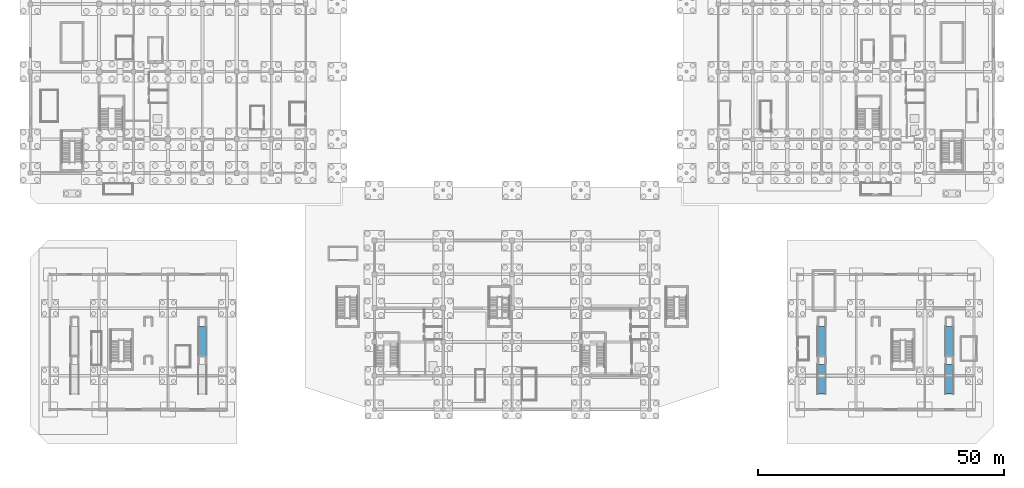
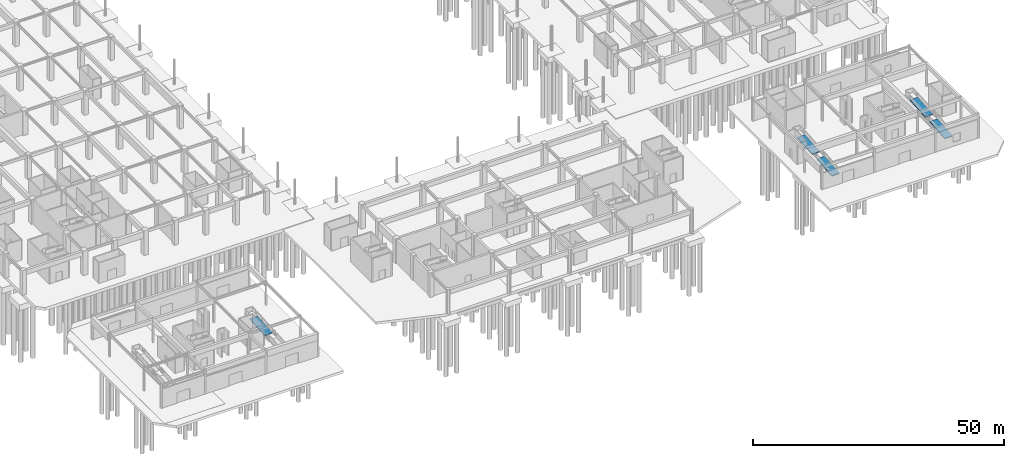
# One storey, part 54 of 62: 5 ramp flights, 3 elements without a shape of their own.
"""IFC4 building model written with IfcOpenShell, lengths in metres."""

from ifc_helpers import new_model, si_unit, direction, frame, origin, place, context, subcontext, project, spatial, polyline, outline, extrude, material, layer, layer_set, type_object, element, aggregate, save


model = new_model("IFC4")

# Units and contexts
model_context = context("Model", 3, precision=1e-05, world=origin(), true_north=direction((0.0, 1.0)))
body_context = subcontext(model_context, "Body", "Model", "MODEL_VIEW")
ifc_project = project(units=[si_unit("LENGTHUNIT", "METRE"), si_unit("AREAUNIT", "SQUARE_METRE"), si_unit("VOLUMEUNIT", "CUBIC_METRE"), si_unit("PLANEANGLEUNIT", "RADIAN"), si_unit("MASSUNIT", "GRAM", prefix="KILO")], contexts=[model_context])

# Site, building, storey
site_placement = place(None, origin())
site = spatial("IfcSite", under=ifc_project, at=site_placement, CompositionType="ELEMENT")
building_placement = place(site_placement, origin())
building = spatial("IfcBuilding", under=site, at=building_placement, Name="Linyun Crest Stadium", CompositionType="ELEMENT")
storey_placement = place(building_placement, frame((0.0, 0.0, -6.0)))
storey = spatial("IfcBuildingStorey", under=building, at=storey_placement, Name="B1", CompositionType="ELEMENT", Elevation=-6.0)

# Ramp, ramp flight
ifc_material_1 = material(Name="Concrete C40", Category="concrete")
ramp_type = type_object("IfcRampType", Name="RMP01", PredefinedType="HALF_TURN_RAMP", material=ifc_material_1)
ramp_1_placement = place(storey_placement, origin())
ramp_1 = element("IfcRamp", 1, at=ramp_1_placement, inside=storey, type_object=ramp_type, Name="Accessible pedestrian ramp RMP-02", PredefinedType="HALF_TURN_RAMP")
ifc_material_2 = material(Name="Concrete C40", Category="concrete")
ifc_layer = layer(ifc_material_2, 0.219970703125)
ifc_layer_set = layer_set([ifc_layer], Name="Concrete C40")
ramp_flight_type = type_object("IfcRampFlightType", Name="RMF01", PredefinedType="STRAIGHT", material=ifc_layer_set)
ramp_flight_1_placement = place(storey_placement, frame((-63.0, -83.199951171875, 0.5), z_axis=(0.0, 0.0, 1.0), x_axis=(0.0, 1.0, 0.0)))
ramp_flight_1 = element("IfcRampFlight", 2, at=ramp_flight_1_placement, type_object=ramp_flight_type, Name="RMP-02 flight 2", PredefinedType="STRAIGHT", context=body_context, shape_type="SweptSolid", body=[
    extrude(outline(polyline([(0.0, 0.0), (6.0, 0.5), (6.0, 0.280029296875), (0.0, -0.219970703125), (0.0, 0.0)])), frame((0.0, 0.89990234375, 0.0), z_axis=(0.0, -1.0, 0.0), x_axis=(1.0, 0.0, 0.0)), (0.0, 0.0, 1.0), 1.800048828125),
])
aggregate(ramp_1, [ramp_flight_1])

# Ramp, ramp flights
ramp_2_placement = place(storey_placement, origin())
ramp_2 = element("IfcRamp", 3, at=ramp_2_placement, inside=storey, type_object=ramp_type, Name="Accessible pedestrian ramp RMP-03", PredefinedType="HALF_TURN_RAMP")
ramp_flight_2_placement = place(storey_placement, frame((63.0, -91.0, 0.0), z_axis=(0.0, 0.0, 1.0), x_axis=(0.0, 1.0, 0.0)))
ramp_flight_2 = element("IfcRampFlight", 4, at=ramp_flight_2_placement, type_object=ramp_flight_type, Name="RMP-03 flight 1", PredefinedType="STRAIGHT", context=body_context, shape_type="SweptSolid", body=[
    extrude(outline(polyline([(0.0, 0.0), (6.0, 0.5), (6.0, 0.280029296875), (0.0, -0.219970703125), (0.0, 0.0)])), frame((0.0, 0.89990234375, 0.0), z_axis=(0.0, -1.0, 0.0), x_axis=(1.0, 0.0, 0.0)), (0.0, 0.0, 1.0), 1.800048828125),
])
ramp_flight_3_placement = place(storey_placement, frame((63.0, -83.199951171875, 0.5), z_axis=(0.0, 0.0, 1.0), x_axis=(0.0, 1.0, 0.0)))
ramp_flight_3 = element("IfcRampFlight", 5, at=ramp_flight_3_placement, type_object=ramp_flight_type, Name="RMP-03 flight 2", PredefinedType="STRAIGHT", context=body_context, shape_type="SweptSolid", body=[
    extrude(outline(polyline([(0.0, 0.0), (6.0, 0.5), (6.0, 0.280029296875), (0.0, -0.219970703125), (0.0, 0.0)])), frame((0.0, 0.89990234375, 0.0), z_axis=(0.0, -1.0, 0.0), x_axis=(1.0, 0.0, 0.0)), (0.0, 0.0, 1.0), 1.800048828125),
])
aggregate(ramp_2, [ramp_flight_2, ramp_flight_3])

ramp_3_placement = place(storey_placement, origin())
ramp_3 = element("IfcRamp", 6, at=ramp_3_placement, inside=storey, type_object=ramp_type, Name="Accessible pedestrian ramp RMP-04", PredefinedType="HALF_TURN_RAMP")
ramp_flight_4_placement = place(storey_placement, frame((89.0, -91.0, 0.0), z_axis=(0.0, 0.0, 1.0), x_axis=(0.0, 1.0, 0.0)))
ramp_flight_4 = element("IfcRampFlight", 7, at=ramp_flight_4_placement, type_object=ramp_flight_type, Name="RMP-04 flight 1", PredefinedType="STRAIGHT", context=body_context, shape_type="SweptSolid", body=[
    extrude(outline(polyline([(0.0, 0.0), (6.0, 0.5), (6.0, 0.280029296875), (0.0, -0.219970703125), (0.0, 0.0)])), frame((0.0, 0.89990234375, 0.0), z_axis=(0.0, -1.0, 0.0), x_axis=(1.0, 0.0, 0.0)), (0.0, 0.0, 1.0), 1.800048828125),
])
ramp_flight_5_placement = place(storey_placement, frame((89.0, -83.199951171875, 0.5), z_axis=(0.0, 0.0, 1.0), x_axis=(0.0, 1.0, 0.0)))
ramp_flight_5 = element("IfcRampFlight", 8, at=ramp_flight_5_placement, type_object=ramp_flight_type, Name="RMP-04 flight 2", PredefinedType="STRAIGHT", context=body_context, shape_type="SweptSolid", body=[
    extrude(outline(polyline([(0.0, 0.0), (6.0, 0.5), (6.0, 0.280029296875), (0.0, -0.219970703125), (0.0, 0.0)])), frame((0.0, 0.89990234375, 0.0), z_axis=(0.0, -1.0, 0.0), x_axis=(1.0, 0.0, 0.0)), (0.0, 0.0, 1.0), 1.800048828125),
])
aggregate(ramp_3, [ramp_flight_4, ramp_flight_5])

save(model, "model.ifc")
